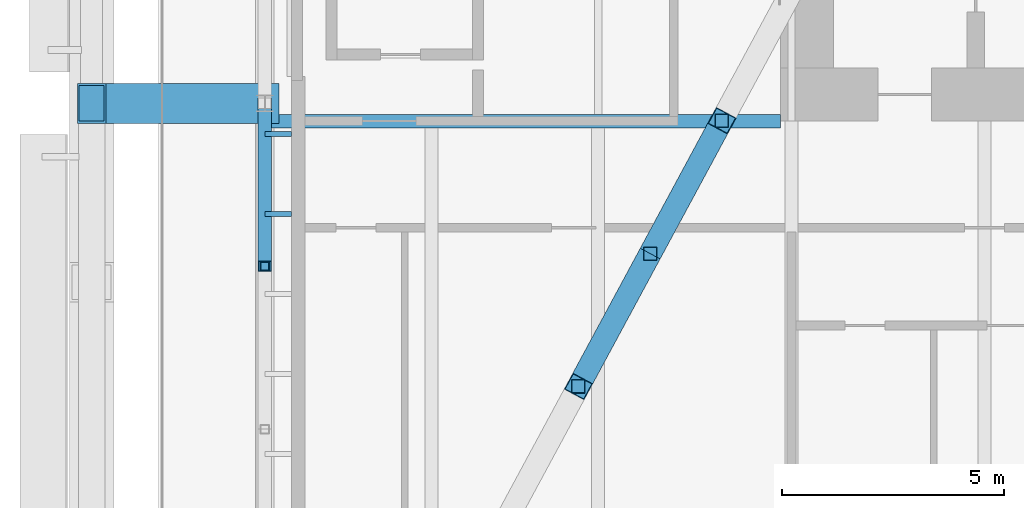
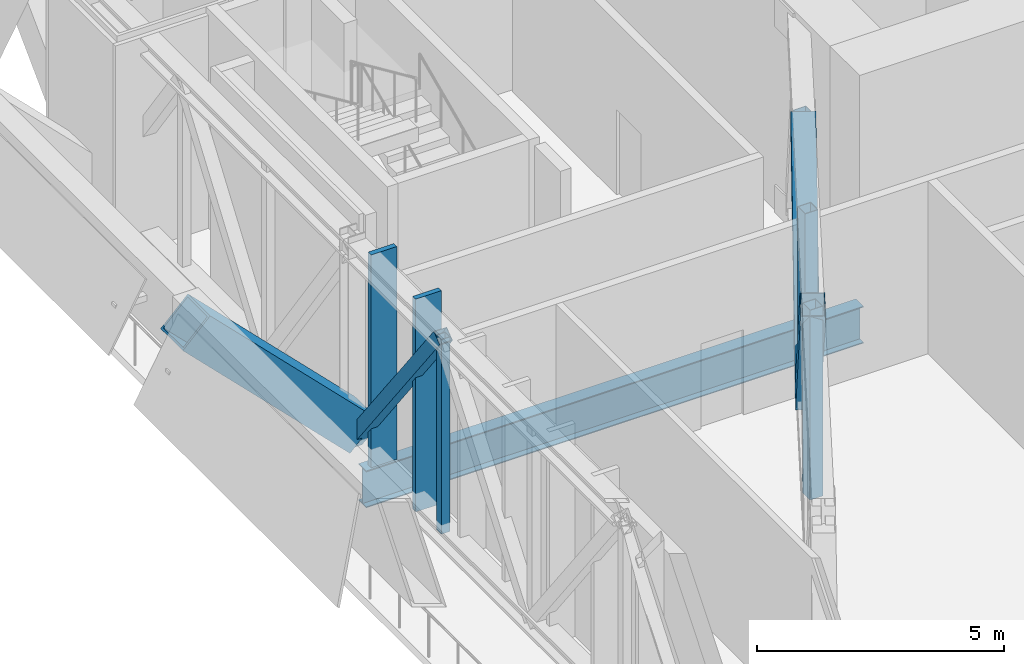
# One storey, part 7 of 30: 10 members, 1 beam, 1 element without a shape of its own.
"""IFC4 building model written with IfcOpenShell, lengths in metres."""

from ifc_helpers import new_model, si_unit, direction, frame, origin, origin_2d, place, context, subcontext, project, spatial, rectangle, hollow_rectangle, i_section, extrude, material, material_profile, profile_set, type_object, element, aggregate, save


model = new_model("IFC4")

# Units and contexts
model_context = context("Model", 3, precision=1e-05, world=origin(), true_north=direction((0.0, 1.0)))
body_context = subcontext(model_context, "Body", "Model", "MODEL_VIEW")
ifc_project = project(units=[si_unit("LENGTHUNIT", "METRE"), si_unit("AREAUNIT", "SQUARE_METRE"), si_unit("VOLUMEUNIT", "CUBIC_METRE"), si_unit("PLANEANGLEUNIT", "RADIAN"), si_unit("MASSUNIT", "GRAM", prefix="KILO")], contexts=[model_context])

# Site, building, storey
site_placement = place(None, origin())
site = spatial("IfcSite", under=ifc_project, at=site_placement, CompositionType="ELEMENT")
building_placement = place(site_placement, origin())
building = spatial("IfcBuilding", under=site, at=building_placement, Name="Bicima Exchange Tower", CompositionType="ELEMENT")
storey_placement = place(building_placement, frame((0.0, 0.0, 185.5)))
storey = spatial("IfcBuildingStorey", under=building, at=storey_placement, Name="L41", CompositionType="ELEMENT", Elevation=185.5)

# Curtain wall, members
ifc_material_1 = material(Name="Anodised bronze aluminium", Category="aluminium")
curtain_wall_type = type_object("IfcCurtainWallType", Name="Band blade screen", PredefinedType="NOTDEFINED", material=ifc_material_1)
curtain_wall_placement = place(storey_placement, origin())
curtain_wall = element("IfcCurtainWall", 1, at=curtain_wall_placement, inside=storey, type_object=curtain_wall_type, Name="Band blade screen L41", PredefinedType="NOTDEFINED")
ifc_material_profile_1 = material_profile(ifc_material_1, rectangle(XDim=0.60009765625, YDim=0.1201171875, at=origin_2d()))
ifc_profile_set_1 = profile_set([ifc_material_profile_1], Name="Anodised bronze aluminium")
member_type_1 = type_object("IfcMemberType", Name="Band blade fin 600 x 120", PredefinedType="USERDEFINED", material=ifc_profile_set_1)
member_1_placement = place(storey_placement, frame((-33.300048828125, -13.2919921875, 0.0), z_axis=(0.0, 0.0, 1.0), x_axis=(1.0, 0.0, 0.0)))
member_1 = element("IfcMember", 2, at=member_1_placement, type_object=member_type_1, Name="Band blade fin 13", ObjectType="FIN", PredefinedType="USERDEFINED", context=body_context, shape_type="SweptSolid", body=[
    extrude(rectangle(XDim=0.60009765625, YDim=0.1201171875, at=origin_2d()), origin(), (0.0, 0.0, 1.0), 5.25),
])
member_2_placement = place(storey_placement, frame((-33.300048828125, -15.092041015625, 0.0), z_axis=(0.0, 0.0, 1.0), x_axis=(1.0, 0.0, 0.0)))
member_2 = element("IfcMember", 3, at=member_2_placement, type_object=member_type_1, Name="Band blade fin 14", ObjectType="FIN", PredefinedType="USERDEFINED", context=body_context, shape_type="SweptSolid", body=[
    extrude(rectangle(XDim=0.60009765625, YDim=0.1201171875, at=origin_2d()), origin(), (0.0, 0.0, 1.0), 5.25),
])
aggregate(curtain_wall, [member_1, member_2])

# Members
ifc_material_2 = material(Name="Steel ASTM A572 Gr 50", Category="steel")
ifc_material_profile_2 = material_profile(ifc_material_2, hollow_rectangle(XDim=0.3046875, YDim=0.3046875, WallThickness=0.01171875, at=origin_2d()))
ifc_profile_set_2 = profile_set([ifc_material_profile_2], Name="Steel ASTM A572 Gr 50")
member_type_2 = type_object("IfcMemberType", Name="Belt truss diagonal HSS12x12x1/2", PredefinedType="STRUT", material=ifc_profile_set_2)
member_3_placement = place(storey_placement, frame((-33.60009765625, -12.60009765625, 0.227294921875), z_axis=(0.0, -0.607492136235, 0.794325691648), x_axis=(1.0, 0.0, 0.0)))
element("IfcMember", 4, at=member_3_placement, inside=storey, type_object=member_type_2, Name="Truss diagonal", PredefinedType="STRUT", context=body_context, shape_type="SweptSolid", body=[
    extrude(hollow_rectangle(XDim=0.3046875, YDim=0.3046875, WallThickness=0.01171875, at=origin_2d()), origin(), (0.0, 0.0, 1.0), 6.037109375),
])
ifc_material_profile_3 = material_profile(ifc_material_2, hollow_rectangle(XDim=0.203125, YDim=0.203125, WallThickness=0.01171875, at=origin_2d()))
ifc_profile_set_3 = profile_set([ifc_material_profile_3], Name="Steel ASTM A572 Gr 50")
member_type_3 = type_object("IfcMemberType", Name="Belt truss post HSS8x8x1/2", PredefinedType="POST", material=ifc_profile_set_3)
member_4_placement = place(storey_placement, frame((-33.60009765625, -16.267578125, 0.227294921875), z_axis=(0.0, 0.0, 1.0), x_axis=(1.0, 0.0, 0.0)))
element("IfcMember", 5, at=member_4_placement, inside=storey, type_object=member_type_3, Name="Truss post", PredefinedType="POST", context=body_context, shape_type="SweptSolid", body=[
    extrude(hollow_rectangle(XDim=0.203125, YDim=0.203125, WallThickness=0.01171875, at=origin_2d()), origin(), (0.0, 0.0, 1.0), 4.79541015625),
])

# Beam
ifc_material_3 = material(Name="Steel ASTM A992 Gr 50", Category="steel")
ifc_material_profile_4 = material_profile(ifc_material_3, i_section(OverallWidth=0.3046875, OverallDepth=0.911865234375, WebThickness=0.015869140625, FlangeThickness=0.02392578125, at=origin_2d()))
ifc_profile_set_4 = profile_set([ifc_material_profile_4], Name="Steel ASTM A992 Gr 50")
beam_type = type_object("IfcBeamType", Name="Core-line girder W36x150", PredefinedType="BEAM", material=ifc_profile_set_4)
beam_placement = place(storey_placement, frame((-22.0, -13.0, -0.656005859375), z_axis=(-1.0, 0.0, 0.0), x_axis=(0.0, -1.0, 0.0)))
element("IfcBeam", 6, at=beam_placement, inside=storey, type_object=beam_type, Name="Core-line girder", PredefinedType="BEAM", context=body_context, shape_type="SweptSolid", body=[
    extrude(i_section(OverallWidth=0.3046875, OverallDepth=0.911865234375, WebThickness=0.015869140625, FlangeThickness=0.02392578125, at=origin_2d()), origin(), (0.0, 0.0, 1.0), 11.60009765625),
])

# Members
ifc_material_profile_5 = material_profile(ifc_material_2, hollow_rectangle(XDim=0.89990234375, YDim=0.89990234375, WallThickness=0.050048828125, at=origin_2d()))
ifc_profile_set_5 = profile_set([ifc_material_profile_5], Name="Steel ASTM A572 Gr 50")
member_type_4 = type_object("IfcMemberType", Name="Exo outrigger stub BOX 900x900x50", PredefinedType="STRUT", material=ifc_profile_set_5)
member_5_placement = place(storey_placement, frame((-33.60009765625, -12.60009765625, 0.60009765625), z_axis=(-0.707106781187, 0.0, 0.707106781187), x_axis=(0.0, -1.0, 0.0)))
element("IfcMember", 7, at=member_5_placement, inside=storey, type_object=member_type_4, Name="Exo outrigger stub", PredefinedType="STRUT", context=body_context, shape_type="SweptSolid", body=[
    extrude(hollow_rectangle(XDim=0.89990234375, YDim=0.89990234375, WallThickness=0.050048828125, at=origin_2d()), origin(), (0.0, 0.0, 1.0), 5.515380859375),
])
ifc_material_profile_6 = material_profile(ifc_material_2, hollow_rectangle(XDim=0.508056640625, YDim=0.508056640625, WallThickness=0.017822265625, at=origin_2d()))
ifc_profile_set_6 = profile_set([ifc_material_profile_6], Name="Steel ASTM A572 Gr 50")
member_type_5 = type_object("IfcMemberType", Name="Outrigger truss diagonal HSS20x20x3/4", PredefinedType="STRUT", material=ifc_profile_set_6)
member_6_placement = place(storey_placement, frame((-23.314208984375, -12.9912109375, 4.965576171875), z_axis=(-0.279080332075, -0.517056136183, -0.809176816453), x_axis=(0.879997870198, -0.474977629417, 0.0)))
element("IfcMember", 8, at=member_6_placement, inside=storey, type_object=member_type_5, Name="Truss diagonal", PredefinedType="STRUT", context=body_context, shape_type="SweptSolid", body=[
    extrude(hollow_rectangle(XDim=0.508056640625, YDim=0.508056640625, WallThickness=0.017822265625, at=origin_2d()), origin(), (0.0, 0.0, 1.0), 5.78515625),
])
member_7_placement = place(storey_placement, frame((-24.9287109375, -15.982421875, 0.284423828125), z_axis=(-0.279047505503, -0.51703130519, 0.809204003405), x_axis=(0.880011688513, -0.474952027136, 0.0)))
element("IfcMember", 9, at=member_7_placement, inside=storey, type_object=member_type_5, Name="Truss diagonal", PredefinedType="STRUT", context=body_context, shape_type="SweptSolid", body=[
    extrude(hollow_rectangle(XDim=0.508056640625, YDim=0.508056640625, WallThickness=0.017822265625, at=origin_2d()), origin(), (0.0, 0.0, 1.0), 5.784912109375),
])
member_type_6 = type_object("IfcMemberType", Name="Outrigger truss post HSS12x12x1/2", PredefinedType="POST", material=ifc_profile_set_2)
for number, where, z_axis, x_axis, name in (
    (10, (-23.314208984375, -12.9912109375, 0.284423828125), (0.0, 0.0, 1.0), (1.0, 0.0, 0.0), "Truss post"),
    (11, (-24.9287109375, -15.982421875, 0.284423828125), (0.0, 0.0, 1.0), (1.0, 0.0, 0.0), "Truss post"),
    (12, (-26.54296875, -18.973388671875, 0.284423828125), (0.0, 0.0, 1.0), (1.0, 0.0, 0.0), "Truss post"),
):
    element("IfcMember", number, at=place(storey_placement, frame(where, z_axis=z_axis, x_axis=x_axis)), inside=storey, type_object=member_type_6, Name=name, PredefinedType="POST", context=body_context, shape_type="SweptSolid", body=[
        extrude(hollow_rectangle(XDim=0.3046875, YDim=0.3046875, WallThickness=0.01171875, at=origin_2d()), origin(), (0.0, 0.0, 1.0), 4.68115234375),
    ])

save(model, "model.ifc")
